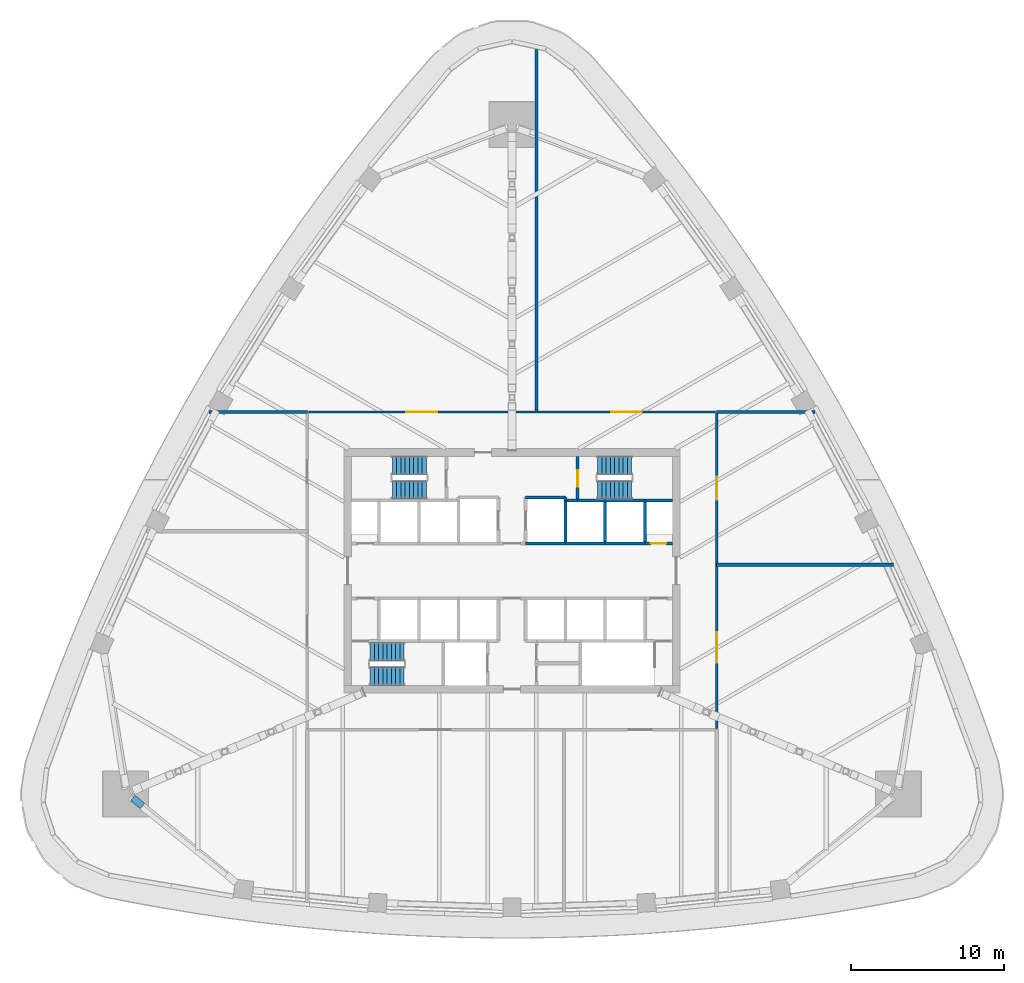
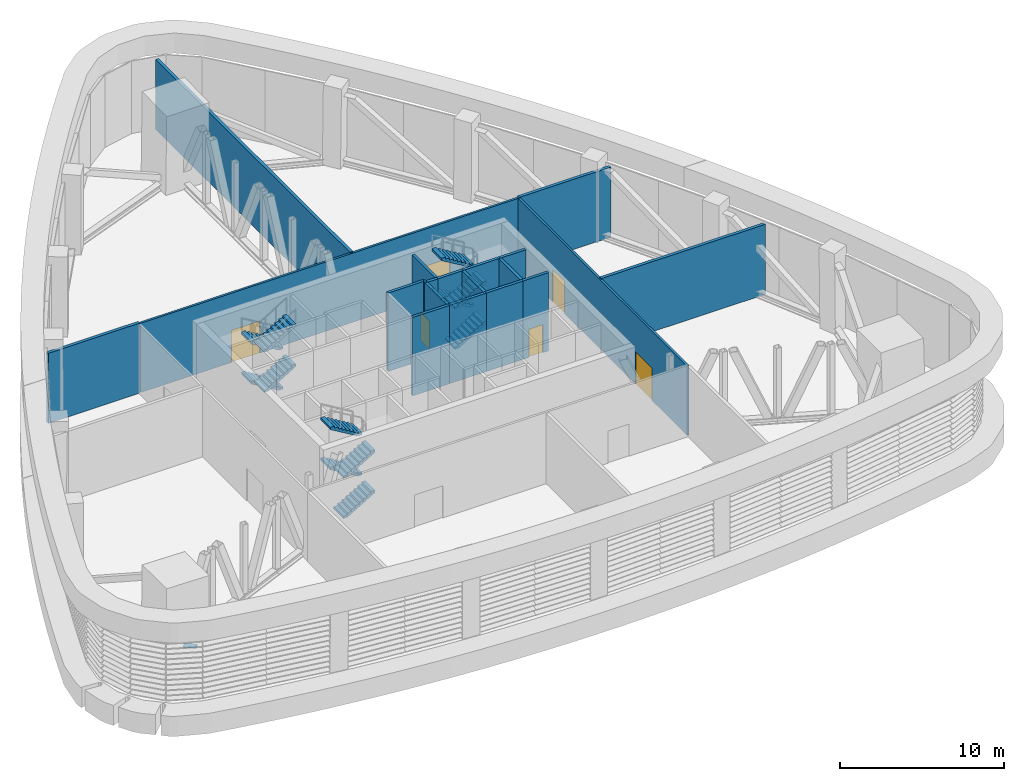
# One storey, part 7 of 18: 20 walls, 12 stair flights, 6 doors, 1 discrete accessory, 6 openings, 3 elements without a shape of their own.
"""IFC4 building model written with IfcOpenShell, lengths in metres."""

from ifc_helpers import new_model, si_unit, direction, frame, frame_2d, origin, origin_2d, place, context, subcontext, project, spatial, polyline, rectangle, outline, extrude, material, layer, layer_set, type_object, element, fill, aggregate, save


model = new_model("IFC4")

# Units and contexts
model_context = context("Model", 3, precision=1e-05, world=origin(), true_north=direction((0.0, 1.0)))
body_context = subcontext(model_context, "Body", "Model", "MODEL_VIEW")
ifc_project = project(units=[si_unit("LENGTHUNIT", "METRE"), si_unit("AREAUNIT", "SQUARE_METRE"), si_unit("VOLUMEUNIT", "CUBIC_METRE"), si_unit("PLANEANGLEUNIT", "RADIAN"), si_unit("MASSUNIT", "GRAM", prefix="KILO")], contexts=[model_context])

# Site, building, storey
site_placement = place(None, origin())
site = spatial("IfcSite", under=ifc_project, at=site_placement, CompositionType="ELEMENT")
building_placement = place(site_placement, origin())
building = spatial("IfcBuilding", under=site, at=building_placement, Name="Sierra Prisma Convention Tower", CompositionType="ELEMENT")
storey_placement = place(building_placement, frame((0.0, 0.0, 112.60009765625)))
storey = spatial("IfcBuildingStorey", under=building, at=storey_placement, Name="L24", CompositionType="ELEMENT", Elevation=112.60009765625)

# Walls
ifc_material_1 = material(Name="Concrete C30/37", Category="concrete")
ifc_layer_1 = layer(ifc_material_1, 0.199951171875)
ifc_layer_set_1 = layer_set([ifc_layer_1], Name="Core wall RC 200 C30/37")
wall_type_1 = type_object("IfcWallType", Name="Core wall RC 200 C30/37", PredefinedType="SOLIDWALL", material=ifc_layer_set_1)
wall_1_placement = place(storey_placement, frame((3.5, 1.800048828125, 0.0), z_axis=(0.0, 0.0, 1.0), x_axis=(-1.0, 0.0, 0.0)))
element("IfcWall", 1, at=wall_1_placement, inside=storey, type_object=wall_type_1, Name="Core wall L24 37", PredefinedType="SOLIDWALL", context=body_context, shape_type="SweptSolid", body=[
    extrude(rectangle(XDim=2.60009765625, YDim=0.199951171875, at=frame_2d((1.300048828125, 0.0))), origin(), (0.0, 0.0, 1.0), 5.849853515625),
])
wall_2_placement = place(storey_placement, frame((3.5, 4.60009765625, 0.0), z_axis=(0.0, 0.0, 1.0), x_axis=(0.0, 1.0, 0.0)))
element("IfcWall", 2, at=wall_2_placement, inside=storey, type_object=wall_type_1, Name="Core wall L24 38", PredefinedType="SOLIDWALL", context=body_context, shape_type="SweptSolid", body=[
    extrude(rectangle(XDim=0.199951171875, YDim=0.199951171875, at=frame_2d((0.10009765625, 0.0))), origin(), (0.0, 0.0, 1.0), 5.849853515625),
])
for number, where, z_axis, x_axis, name in (
    (3, (3.5, 4.800048828125, 0.0), (0.0, 0.0, 1.0), (-1.0, 0.0, 0.0), "Core wall L24 39"),
    (4, (6.10009765625, 1.800048828125, 0.0), (0.0, 0.0, 1.0), (-1.0, 0.0, 0.0), "Core wall L24 48"),
):
    element("IfcWall", number, at=place(storey_placement, frame(where, z_axis=z_axis, x_axis=x_axis)), inside=storey, type_object=wall_type_1, Name=name, PredefinedType="SOLIDWALL", context=body_context, shape_type="SweptSolid", body=[
        extrude(rectangle(XDim=2.60009765625, YDim=0.199951171875, at=frame_2d((1.300048828125, 0.0))), origin(), (0.0, 0.0, 1.0), 5.849853515625),
    ])
wall_3_placement = place(storey_placement, frame((3.5, 1.800048828125, 0.0), z_axis=(0.0, 0.0, 1.0), x_axis=(0.0, 1.0, 0.0)))
element("IfcWall", 5, at=wall_3_placement, inside=storey, type_object=wall_type_1, Name="Core wall L24 49", PredefinedType="SOLIDWALL", context=body_context, shape_type="SweptSolid", body=[
    extrude(rectangle(XDim=2.800048828125, YDim=0.199951171875, at=frame_2d((1.39990234375, 0.0))), origin(), (0.0, 0.0, 1.0), 5.849853515625),
])
wall_4_placement = place(storey_placement, frame((4.300048828125, 4.60009765625, 0.0), z_axis=(0.0, 0.0, 1.0), x_axis=(-1.0, 0.0, 0.0)))
element("IfcWall", 6, at=wall_4_placement, inside=storey, type_object=wall_type_1, Name="Core wall L24 50", PredefinedType="SOLIDWALL", context=body_context, shape_type="SweptSolid", body=[
    extrude(rectangle(XDim=0.800048828125, YDim=0.199951171875, at=frame_2d((0.39990234375, 0.0))), origin(), (0.0, 0.0, 1.0), 5.849853515625),
])
wall_5_placement = place(storey_placement, frame((6.10009765625, 4.60009765625, 0.0), z_axis=(0.0, 0.0, 1.0), x_axis=(-1.0, 0.0, 0.0)))
element("IfcWall", 7, at=wall_5_placement, inside=storey, type_object=wall_type_1, Name="Core wall L24 51", PredefinedType="SOLIDWALL", context=body_context, shape_type="SweptSolid", body=[
    extrude(rectangle(XDim=1.800048828125, YDim=0.199951171875, at=frame_2d((0.89990234375, 0.0))), origin(), (0.0, 0.0, 1.0), 5.849853515625),
])

# Wall, opening, door
wall_6_placement = place(storey_placement, frame((4.300048828125, 7.5, 0.0), z_axis=(0.0, 0.0, 1.0), x_axis=(0.0, -1.0, 0.0)))
wall_6 = element("IfcWall", 8, at=wall_6_placement, inside=storey, type_object=wall_type_1, Name="Core wall L24 52", PredefinedType="SOLIDWALL", context=body_context, shape_type="SweptSolid", body=[
    extrude(rectangle(XDim=2.89990234375, YDim=0.199951171875, at=frame_2d((1.449951171875, 0.0))), origin(), (0.0, 0.0, 1.0), 5.849853515625),
])
opening_1_placement = place(wall_6_placement, frame((0.89990234375, 0.0, 0.0)))
opening_1 = element("IfcOpeningElement", 9, at=opening_1_placement, cuts=wall_6, Name="Opening L24-D013", PredefinedType="OPENING", context=body_context, shape_type="SweptSolid", body=[
    extrude(rectangle(XDim=1.10009765625, YDim=2.10009765625, at=frame_2d((0.550048828125, 1.050048828125))), frame((0.0, 0.10009765625, 0.0), z_axis=(0.0, -1.0, 0.0), x_axis=(1.0, 0.0, 0.0)), (0.0, 0.0, 1.0), 0.199951171875),
])
ifc_material_2 = material(Name="Steel fire door leaf", Category="steel")
door_type_1 = type_object("IfcDoorType", Name="Door 1100x2100 FD90S", OperationType="SINGLE_SWING_LEFT", PredefinedType="DOOR", material=ifc_material_2)
door_1_placement = place(opening_1_placement, origin())
door_1 = element("IfcDoor", 10, at=door_1_placement, inside=storey, type_object=door_type_1, Name="Door L24 21", OperationType="SINGLE_SWING_LEFT", OverallHeight=2.10009765625, OverallWidth=1.10009765625, PredefinedType="DOOR", context=body_context, shape_type="SweptSolid", body=[
    extrude(rectangle(XDim=1.10009765625, YDim=2.10009765625, at=frame_2d((0.550048828125, 1.050048828125))), frame((0.0, 0.02490234375, 0.0), z_axis=(0.0, -1.0, 0.0), x_axis=(1.0, 0.0, 0.0)), (0.0, 0.0, 1.0), 0.050048828125),
])
fill(opening_1, door_1)

# Walls
wall_7_placement = place(storey_placement, frame((8.699951171875, 1.800048828125, 0.0), z_axis=(0.0, 0.0, 1.0), x_axis=(-1.0, 0.0, 0.0)))
element("IfcWall", 11, at=wall_7_placement, inside=storey, type_object=wall_type_1, Name="Core wall L24 59", PredefinedType="SOLIDWALL", context=body_context, shape_type="SweptSolid", body=[
    extrude(rectangle(XDim=2.599853515625, YDim=0.199951171875, at=frame_2d((1.2998046875, 0.0))), origin(), (0.0, 0.0, 1.0), 5.849853515625),
])
wall_8_placement = place(storey_placement, frame((6.10009765625, 1.800048828125, 0.0), z_axis=(0.0, 0.0, 1.0), x_axis=(0.0, 1.0, 0.0)))
element("IfcWall", 12, at=wall_8_placement, inside=storey, type_object=wall_type_1, Name="Core wall L24 60", PredefinedType="SOLIDWALL", context=body_context, shape_type="SweptSolid", body=[
    extrude(rectangle(XDim=2.800048828125, YDim=0.199951171875, at=frame_2d((1.39990234375, 0.0))), origin(), (0.0, 0.0, 1.0), 5.849853515625),
])
wall_9_placement = place(storey_placement, frame((8.699951171875, 4.60009765625, 0.0), z_axis=(0.0, 0.0, 1.0), x_axis=(-1.0, 0.0, 0.0)))
element("IfcWall", 13, at=wall_9_placement, inside=storey, type_object=wall_type_1, Name="Core wall L24 61", PredefinedType="SOLIDWALL", context=body_context, shape_type="SweptSolid", body=[
    extrude(rectangle(XDim=2.599853515625, YDim=0.199951171875, at=frame_2d((1.2998046875, 0.0))), origin(), (0.0, 0.0, 1.0), 5.849853515625),
])

# Wall, opening, door
wall_10_placement = place(storey_placement, frame((10.5, 1.800048828125, 0.0), z_axis=(0.0, 0.0, 1.0), x_axis=(-1.0, 0.0, 0.0)))
wall_10 = element("IfcWall", 14, at=wall_10_placement, inside=storey, type_object=wall_type_1, Name="Core wall L24 65", PredefinedType="SOLIDWALL", context=body_context, shape_type="SweptSolid", body=[
    extrude(rectangle(XDim=1.800048828125, YDim=0.199951171875, at=frame_2d((0.89990234375, 0.0))), origin(), (0.0, 0.0, 1.0), 5.849853515625),
])
opening_2_placement = place(wall_10_placement, frame((0.39990234375, 0.0, 0.0)))
opening_2 = element("IfcOpeningElement", 15, at=opening_2_placement, cuts=wall_10, Name="Opening L24-D009", PredefinedType="OPENING", context=body_context, shape_type="SweptSolid", body=[
    extrude(rectangle(XDim=1.0, YDim=2.10009765625, at=frame_2d((0.5, 1.050048828125))), frame((0.0, 0.10009765625, 0.0), z_axis=(0.0, -1.0, 0.0), x_axis=(1.0, 0.0, 0.0)), (0.0, 0.0, 1.0), 0.199951171875),
])
ifc_material_3 = material(Name="Steel fire door leaf", Category="steel")
door_type_2 = type_object("IfcDoorType", Name="Door 1000x2100 FD60S", OperationType="SINGLE_SWING_LEFT", PredefinedType="DOOR", material=ifc_material_3)
door_2_placement = place(opening_2_placement, origin())
door_2 = element("IfcDoor", 16, at=door_2_placement, inside=storey, type_object=door_type_2, Name="Door L24 17", OperationType="SINGLE_SWING_RIGHT", OverallHeight=2.10009765625, OverallWidth=1.0, PredefinedType="DOOR", context=body_context, shape_type="SweptSolid", body=[
    extrude(rectangle(XDim=1.0, YDim=2.10009765625, at=frame_2d((0.5, 1.050048828125))), frame((0.0, 0.02490234375, 0.0), z_axis=(0.0, -1.0, 0.0), x_axis=(1.0, 0.0, 0.0)), (0.0, 0.0, 1.0), 0.050048828125),
])
fill(opening_2, door_2)

# Walls
wall_11_placement = place(storey_placement, frame((8.699951171875, 4.60009765625, 0.0), z_axis=(0.0, 0.0, 1.0), x_axis=(0.0, -1.0, 0.0)))
element("IfcWall", 17, at=wall_11_placement, inside=storey, type_object=wall_type_1, Name="Core wall L24 66", PredefinedType="SOLIDWALL", context=body_context, shape_type="SweptSolid", body=[
    extrude(rectangle(XDim=2.800048828125, YDim=0.199951171875, at=frame_2d((1.39990234375, 0.0))), origin(), (0.0, 0.0, 1.0), 5.849853515625),
])
wall_12_placement = place(storey_placement, frame((10.5, 4.60009765625, 0.0), z_axis=(0.0, 0.0, 1.0), x_axis=(-1.0, 0.0, 0.0)))
element("IfcWall", 18, at=wall_12_placement, inside=storey, type_object=wall_type_1, Name="Core wall L24 67", PredefinedType="SOLIDWALL", context=body_context, shape_type="SweptSolid", body=[
    extrude(rectangle(XDim=1.800048828125, YDim=0.199951171875, at=frame_2d((0.89990234375, 0.0))), origin(), (0.0, 0.0, 1.0), 5.849853515625),
])

# Wall, openings, doors
ifc_material_4 = material(Name="Gypsum board partition", Category="gypsum")
ifc_layer_2 = layer(ifc_material_4, 0.14990234375)
ifc_layer_set_2 = layer_set([ifc_layer_2], Name="Corridor wall 150 gypsum EI 60")
wall_type_2 = type_object("IfcWallType", Name="Corridor wall 150 gypsum EI 60", PredefinedType="PARTITIONING", material=ifc_layer_set_2)
wall_13_placement = place(storey_placement, frame((13.320068359375, 10.39990234375, 0.0), z_axis=(0.0, 0.0, 1.0), x_axis=(-1.0, 0.0, 0.0)))
wall_13 = element("IfcWall", 19, at=wall_13_placement, inside=storey, type_object=wall_type_2, Name="Partition L24 corr 3", PredefinedType="PARTITIONING", context=body_context, shape_type="SweptSolid", body=[
    extrude(rectangle(XDim=26.64013671875, YDim=0.14990234375, at=frame_2d((13.320068359375, 0.0))), origin(), (0.0, 0.0, 1.0), 5.166015625),
])
opening_3_placement = place(wall_13_placement, frame((4.81005859375, 0.0, 0.0)))
opening_3 = element("IfcOpeningElement", 20, at=opening_3_placement, cuts=wall_13, Name="Opening L24-D017", PredefinedType="OPENING", context=body_context, shape_type="SweptSolid", body=[
    extrude(rectangle(XDim=2.0, YDim=2.39990234375, at=frame_2d((1.0, 1.199951171875))), frame((0.0, 0.074951171875, 0.0), z_axis=(0.0, -1.0, 0.0), x_axis=(1.0, 0.0, 0.0)), (0.0, 0.0, 1.0), 0.14990234375),
])
opening_4_placement = place(wall_13_placement, frame((18.22998046875, 0.0, 0.0)))
opening_4 = element("IfcOpeningElement", 21, at=opening_4_placement, cuts=wall_13, Name="Opening L24-D018", PredefinedType="OPENING", context=body_context, shape_type="SweptSolid", body=[
    extrude(rectangle(XDim=2.0, YDim=2.39990234375, at=frame_2d((1.0, 1.199951171875))), frame((0.0, 0.074951171875, 0.0), z_axis=(0.0, -1.0, 0.0), x_axis=(1.0, 0.0, 0.0)), (0.0, 0.0, 1.0), 0.14990234375),
])
ifc_material_5 = material(Name="Steel fire door leaf", Category="steel")
door_type_3 = type_object("IfcDoorType", Name="Door 2000x2400 FD60S", OperationType="DOUBLE_DOOR_SINGLE_SWING", PredefinedType="DOOR", material=ifc_material_5)
door_3_placement = place(opening_3_placement, origin())
door_3 = element("IfcDoor", 22, at=door_3_placement, inside=storey, type_object=door_type_3, Name="Door L24 2", OperationType="DOUBLE_DOOR_SINGLE_SWING", OverallHeight=2.39990234375, OverallWidth=2.0, PredefinedType="DOOR", context=body_context, shape_type="SweptSolid", body=[
    extrude(rectangle(XDim=2.0, YDim=2.39990234375, at=frame_2d((1.0, 1.199951171875))), frame((0.0, 0.02490234375, 0.0), z_axis=(0.0, -1.0, 0.0), x_axis=(1.0, 0.0, 0.0)), (0.0, 0.0, 1.0), 0.050048828125),
])
fill(opening_3, door_3)
door_4_placement = place(opening_4_placement, origin())
door_4 = element("IfcDoor", 23, at=door_4_placement, inside=storey, type_object=door_type_3, Name="Door L24 3", OperationType="DOUBLE_DOOR_SINGLE_SWING", OverallHeight=2.39990234375, OverallWidth=2.0, PredefinedType="DOOR", context=body_context, shape_type="SweptSolid", body=[
    extrude(rectangle(XDim=2.0, YDim=2.39990234375, at=frame_2d((1.0, 1.199951171875))), frame((0.0, 0.02490234375, 0.0), z_axis=(0.0, -1.0, 0.0), x_axis=(1.0, 0.0, 0.0)), (0.0, 0.0, 1.0), 0.050048828125),
])
fill(opening_4, door_4)

wall_14_placement = place(storey_placement, frame((13.39990234375, -10.320068359375, 0.0), z_axis=(0.0, 0.0, 1.0), x_axis=(0.0, 1.0, 0.0)))
wall_14 = element("IfcWall", 24, at=wall_14_placement, inside=storey, type_object=wall_type_2, Name="Partition L24 corr 4", PredefinedType="PARTITIONING", context=body_context, shape_type="SweptSolid", body=[
    extrude(rectangle(XDim=20.64013671875, YDim=0.14990234375, at=frame_2d((10.320068359375, 0.0))), origin(), (0.0, 0.0, 1.0), 5.166015625),
])
opening_5_placement = place(wall_14_placement, frame((14.969970703125, 0.0, 0.0)))
opening_5 = element("IfcOpeningElement", 25, at=opening_5_placement, cuts=wall_14, Name="Opening L24-D016", PredefinedType="OPENING", context=body_context, shape_type="SweptSolid", body=[
    extrude(rectangle(XDim=1.5, YDim=2.39990234375, at=frame_2d((0.75, 1.199951171875))), frame((0.0, 0.074951171875, 0.0), z_axis=(0.0, -1.0, 0.0), x_axis=(1.0, 0.0, 0.0)), (0.0, 0.0, 1.0), 0.14990234375),
])
opening_6_placement = place(wall_14_placement, frame((4.31005859375, 0.0, 0.0)))
opening_6 = element("IfcOpeningElement", 26, at=opening_6_placement, cuts=wall_14, Name="Opening L24-D023", PredefinedType="OPENING", context=body_context, shape_type="SweptSolid", body=[
    extrude(rectangle(XDim=2.0, YDim=2.39990234375, at=frame_2d((1.0, 1.199951171875))), frame((0.0, 0.074951171875, 0.0), z_axis=(0.0, -1.0, 0.0), x_axis=(1.0, 0.0, 0.0)), (0.0, 0.0, 1.0), 0.14990234375),
])
ifc_material_6 = material(Name="Steel fire door leaf", Category="steel")
door_type_4 = type_object("IfcDoorType", Name="Door 1500x2400 FD60S", OperationType="DOUBLE_DOOR_SINGLE_SWING", PredefinedType="DOOR", material=ifc_material_6)
door_5_placement = place(opening_5_placement, origin())
door_5 = element("IfcDoor", 27, at=door_5_placement, inside=storey, type_object=door_type_4, Name="Door L24 1", OperationType="DOUBLE_DOOR_SINGLE_SWING", OverallHeight=2.39990234375, OverallWidth=1.5, PredefinedType="DOOR", context=body_context, shape_type="SweptSolid", body=[
    extrude(rectangle(XDim=1.5, YDim=2.39990234375, at=frame_2d((0.75, 1.199951171875))), frame((0.0, 0.02490234375, 0.0), z_axis=(0.0, -1.0, 0.0), x_axis=(1.0, 0.0, 0.0)), (0.0, 0.0, 1.0), 0.050048828125),
])
fill(opening_5, door_5)
door_6_placement = place(opening_6_placement, origin())
door_6 = element("IfcDoor", 28, at=door_6_placement, inside=storey, type_object=door_type_3, Name="Door L24 8", OperationType="DOUBLE_DOOR_SINGLE_SWING", OverallHeight=2.39990234375, OverallWidth=2.0, PredefinedType="DOOR", context=body_context, shape_type="SweptSolid", body=[
    extrude(rectangle(XDim=2.0, YDim=2.39990234375, at=frame_2d((1.0, 1.199951171875))), frame((0.0, 0.02490234375, 0.0), z_axis=(0.0, -1.0, 0.0), x_axis=(1.0, 0.0, 0.0)), (0.0, 0.0, 1.0), 0.050048828125),
])
fill(opening_6, door_6)

# Walls
ifc_material_7 = material(Name="Hollow clay block masonry", Category="masonry")
ifc_layer_3 = layer(ifc_material_7, 0.215087890625)
ifc_layer_set_3 = layer_set([ifc_layer_3], Name="Plant room wall 215 blockwork EI 120")
wall_type_3 = type_object("IfcWallType", Name="Plant room wall 215 blockwork EI 120", PredefinedType="PARTITIONING", material=ifc_layer_set_3)
wall_15_placement = place(storey_placement, frame((-13.39990234375, 10.39990234375, 0.0), z_axis=(0.0, 0.0, 1.0), x_axis=(-1.0, 0.0, 0.0)))
element("IfcWall", 29, at=wall_15_placement, inside=storey, type_object=wall_type_3, Name="Partition L24 plant 2", PredefinedType="PARTITIONING", context=body_context, shape_type="SweptSolid", body=[
    extrude(rectangle(XDim=6.453369140625, YDim=0.215087890625, at=frame_2d((3.2265625, 0.0))), origin(), (0.0, 0.0, 1.0), 5.23388671875),
])
wall_16_placement = place(storey_placement, frame((1.60009765625, 10.39990234375, 0.0), z_axis=(0.0, 0.0, 1.0), x_axis=(0.0, 1.0, 0.0)))
element("IfcWall", 30, at=wall_16_placement, inside=storey, type_object=wall_type_3, Name="Partition L24 plant 4", PredefinedType="PARTITIONING", context=body_context, shape_type="SweptSolid", body=[
    extrude(rectangle(XDim=23.740478515625, YDim=0.215087890625, at=frame_2d((11.8701171875, 0.0))), origin(), (0.0, 0.0, 1.0), 5.23388671875),
])
wall_17_placement = place(storey_placement, frame((24.9833984375, 0.39990234375, 0.0), z_axis=(0.0, 0.0, 1.0), x_axis=(-1.0, 0.0, 0.0)))
element("IfcWall", 31, at=wall_17_placement, inside=storey, type_object=wall_type_3, Name="Partition L24 plant 7", PredefinedType="PARTITIONING", context=body_context, shape_type="SweptSolid", body=[
    extrude(rectangle(XDim=11.58349609375, YDim=0.215087890625, at=frame_2d((5.791748046875, 0.0))), origin(), (0.0, 0.0, 1.0), 5.23388671875),
])
wall_18_placement = place(storey_placement, frame((13.39990234375, 10.39990234375, 0.0), z_axis=(0.0, 0.0, 1.0), x_axis=(1.0, 0.0, 0.0)))
element("IfcWall", 32, at=wall_18_placement, inside=storey, type_object=wall_type_3, Name="Partition L24 plant 8", PredefinedType="PARTITIONING", context=body_context, shape_type="SweptSolid", body=[
    extrude(rectangle(XDim=6.453369140625, YDim=0.215087890625, at=frame_2d((3.2265625, 0.0))), origin(), (0.0, 0.0, 1.0), 5.23388671875),
])

# Stair, stair flights
ifc_material_8 = material(Name="Concrete C30/37", Category="concrete")
stair_type = type_object("IfcStairType", Name="Stair dog-leg 1200 RC", PredefinedType="HALF_TURN_STAIR", material=ifc_material_8)
stair_1_placement = place(storey_placement, origin())
stair_1 = element("IfcStair", 33, at=stair_1_placement, inside=storey, type_object=stair_type, Name="L24 S1", PredefinedType="HALF_TURN_STAIR")
ifc_material_9 = material(Name="Concrete C30/37", Category="concrete")
stair_flight_type = type_object("IfcStairFlightType", Name="Stair flight RC 1200", PredefinedType="STRAIGHT", material=ifc_material_9)
stair_flight_1_placement = place(storey_placement, frame((-9.300048828125, -6.89990234375, 0.0), z_axis=(0.0, 0.0, 1.0), x_axis=(1.0, 0.0, 0.0)))
stair_flight_1 = element("IfcStairFlight", 34, at=stair_flight_1_placement, type_object=stair_flight_type, Name="S1 flight 1", NumberOfRisers=9, NumberOfTreads=8, PredefinedType="STRAIGHT", RiserHeight=0.166666667, TreadLength=0.28, context=body_context, shape_type="SweptSolid", body=[
    extrude(outline(polyline([(0.0, 0.0), (0.0, 0.166748046875), (0.280029296875, 0.166748046875), (0.280029296875, 0.333251953125), (0.56005859375, 0.333251953125), (0.56005859375, 0.5), (0.840087890625, 0.5), (0.840087890625, 0.666748046875), (1.1201171875, 0.666748046875), (1.1201171875, 0.833251953125), (1.39990234375, 0.833251953125), (1.39990234375, 1.0), (1.679931640625, 1.0), (1.679931640625, 1.166748046875), (1.9599609375, 1.166748046875), (1.9599609375, 1.333251953125), (2.239990234375, 1.333251953125), (2.239990234375, 1.5), (2.239990234375, 1.158935546875), (0.29296875, 0.0), (0.0, 0.0)])), frame((0.0, 0.60009765625, 0.0), z_axis=(0.0, -1.0, 0.0), x_axis=(1.0, 0.0, 0.0)), (0.0, 0.0, 1.0), 1.199951171875),
])
stair_flight_2_placement = place(storey_placement, frame((-7.06005859375, -5.300048828125, 1.5), z_axis=(0.0, 0.0, 1.0), x_axis=(-1.0, 0.0, 0.0)))
stair_flight_2 = element("IfcStairFlight", 35, at=stair_flight_2_placement, type_object=stair_flight_type, Name="S1 flight 2", NumberOfRisers=9, NumberOfTreads=8, PredefinedType="STRAIGHT", RiserHeight=0.166666667, TreadLength=0.28, context=body_context, shape_type="SweptSolid", body=[
    extrude(outline(polyline([(0.0, 0.0), (0.0, 0.166748046875), (0.280029296875, 0.166748046875), (0.280029296875, 0.333251953125), (0.56005859375, 0.333251953125), (0.56005859375, 0.5), (0.840087890625, 0.5), (0.840087890625, 0.666748046875), (1.1201171875, 0.666748046875), (1.1201171875, 0.833251953125), (1.39990234375, 0.833251953125), (1.39990234375, 1.0), (1.679931640625, 1.0), (1.679931640625, 1.166748046875), (1.9599609375, 1.166748046875), (1.9599609375, 1.333251953125), (2.239990234375, 1.333251953125), (2.239990234375, 1.5), (2.239990234375, 1.158935546875), (0.29296875, 0.0), (0.0, 0.0)])), frame((0.0, 0.60009765625, 0.0), z_axis=(0.0, -1.0, 0.0), x_axis=(1.0, 0.0, 0.0)), (0.0, 0.0, 1.0), 1.199951171875),
])
stair_flight_3_placement = place(storey_placement, frame((-9.300048828125, -6.89990234375, 3.0), z_axis=(0.0, 0.0, 1.0), x_axis=(1.0, 0.0, 0.0)))
stair_flight_3 = element("IfcStairFlight", 36, at=stair_flight_3_placement, type_object=stair_flight_type, Name="S1 flight 3", NumberOfRisers=9, NumberOfTreads=8, PredefinedType="STRAIGHT", RiserHeight=0.166666667, TreadLength=0.28, context=body_context, shape_type="SweptSolid", body=[
    extrude(outline(polyline([(0.0, 0.0), (0.0, 0.166748046875), (0.280029296875, 0.166748046875), (0.280029296875, 0.333251953125), (0.56005859375, 0.333251953125), (0.56005859375, 0.5), (0.840087890625, 0.5), (0.840087890625, 0.666748046875), (1.1201171875, 0.666748046875), (1.1201171875, 0.833251953125), (1.39990234375, 0.833251953125), (1.39990234375, 1.0), (1.679931640625, 1.0), (1.679931640625, 1.166748046875), (1.9599609375, 1.166748046875), (1.9599609375, 1.333251953125), (2.239990234375, 1.333251953125), (2.239990234375, 1.5), (2.239990234375, 1.158935546875), (0.29296875, 0.0), (0.0, 0.0)])), frame((0.0, 0.60009765625, 0.0), z_axis=(0.0, -1.0, 0.0), x_axis=(1.0, 0.0, 0.0)), (0.0, 0.0, 1.0), 1.199951171875),
])
stair_flight_4_placement = place(storey_placement, frame((-7.06005859375, -5.300048828125, 4.5), z_axis=(0.0, 0.0, 1.0), x_axis=(-1.0, 0.0, 0.0)))
stair_flight_4 = element("IfcStairFlight", 37, at=stair_flight_4_placement, type_object=stair_flight_type, Name="S1 flight 4", NumberOfRisers=9, NumberOfTreads=8, PredefinedType="STRAIGHT", RiserHeight=0.166666667, TreadLength=0.28, context=body_context, shape_type="SweptSolid", body=[
    extrude(outline(polyline([(0.0, 0.0), (0.0, 0.166748046875), (0.280029296875, 0.166748046875), (0.280029296875, 0.333251953125), (0.56005859375, 0.333251953125), (0.56005859375, 0.5), (0.840087890625, 0.5), (0.840087890625, 0.666748046875), (1.1201171875, 0.666748046875), (1.1201171875, 0.833251953125), (1.39990234375, 0.833251953125), (1.39990234375, 1.0), (1.679931640625, 1.0), (1.679931640625, 1.166748046875), (1.9599609375, 1.166748046875), (1.9599609375, 1.333251953125), (2.239990234375, 1.333251953125), (2.239990234375, 1.5), (2.239990234375, 1.158935546875), (0.29296875, 0.0), (0.0, 0.0)])), frame((0.0, 0.60009765625, 0.0), z_axis=(0.0, -1.0, 0.0), x_axis=(1.0, 0.0, 0.0)), (0.0, 0.0, 1.0), 1.199951171875),
])
aggregate(stair_1, [stair_flight_1, stair_flight_2, stair_flight_3, stair_flight_4])

stair_2_placement = place(storey_placement, origin())
stair_2 = element("IfcStair", 38, at=stair_2_placement, inside=storey, type_object=stair_type, Name="L24 S3", PredefinedType="HALF_TURN_STAIR")
stair_flight_5_placement = place(storey_placement, frame((-5.60009765625, 6.89990234375, 0.0), z_axis=(0.0, 0.0, 1.0), x_axis=(-1.0, 0.0, 0.0)))
stair_flight_5 = element("IfcStairFlight", 39, at=stair_flight_5_placement, type_object=stair_flight_type, Name="S3 flight 1", NumberOfRisers=9, NumberOfTreads=8, PredefinedType="STRAIGHT", RiserHeight=0.166666667, TreadLength=0.28, context=body_context, shape_type="SweptSolid", body=[
    extrude(outline(polyline([(0.0, 0.0), (0.0, 0.166748046875), (0.280029296875, 0.166748046875), (0.280029296875, 0.333251953125), (0.56005859375, 0.333251953125), (0.56005859375, 0.5), (0.840087890625, 0.5), (0.840087890625, 0.666748046875), (1.1201171875, 0.666748046875), (1.1201171875, 0.833251953125), (1.39990234375, 0.833251953125), (1.39990234375, 1.0), (1.679931640625, 1.0), (1.679931640625, 1.166748046875), (1.9599609375, 1.166748046875), (1.9599609375, 1.333251953125), (2.239990234375, 1.333251953125), (2.239990234375, 1.5), (2.239990234375, 1.158935546875), (0.29296875, 0.0), (0.0, 0.0)])), frame((0.0, 0.60009765625, 0.0), z_axis=(0.0, -1.0, 0.0), x_axis=(1.0, 0.0, 0.0)), (0.0, 0.0, 1.0), 1.199951171875),
])
stair_flight_6_placement = place(storey_placement, frame((-7.840087890625, 5.300048828125, 1.5), z_axis=(0.0, 0.0, 1.0), x_axis=(1.0, 0.0, 0.0)))
stair_flight_6 = element("IfcStairFlight", 40, at=stair_flight_6_placement, type_object=stair_flight_type, Name="S3 flight 2", NumberOfRisers=9, NumberOfTreads=8, PredefinedType="STRAIGHT", RiserHeight=0.166666667, TreadLength=0.28, context=body_context, shape_type="SweptSolid", body=[
    extrude(outline(polyline([(0.0, 0.0), (0.0, 0.166748046875), (0.280029296875, 0.166748046875), (0.280029296875, 0.333251953125), (0.56005859375, 0.333251953125), (0.56005859375, 0.5), (0.840087890625, 0.5), (0.840087890625, 0.666748046875), (1.1201171875, 0.666748046875), (1.1201171875, 0.833251953125), (1.39990234375, 0.833251953125), (1.39990234375, 1.0), (1.679931640625, 1.0), (1.679931640625, 1.166748046875), (1.9599609375, 1.166748046875), (1.9599609375, 1.333251953125), (2.239990234375, 1.333251953125), (2.239990234375, 1.5), (2.239990234375, 1.158935546875), (0.29296875, 0.0), (0.0, 0.0)])), frame((0.0, 0.60009765625, 0.0), z_axis=(0.0, -1.0, 0.0), x_axis=(1.0, 0.0, 0.0)), (0.0, 0.0, 1.0), 1.199951171875),
])
stair_flight_7_placement = place(storey_placement, frame((-5.60009765625, 6.89990234375, 3.0), z_axis=(0.0, 0.0, 1.0), x_axis=(-1.0, 0.0, 0.0)))
stair_flight_7 = element("IfcStairFlight", 41, at=stair_flight_7_placement, type_object=stair_flight_type, Name="S3 flight 3", NumberOfRisers=9, NumberOfTreads=8, PredefinedType="STRAIGHT", RiserHeight=0.166666667, TreadLength=0.28, context=body_context, shape_type="SweptSolid", body=[
    extrude(outline(polyline([(0.0, 0.0), (0.0, 0.166748046875), (0.280029296875, 0.166748046875), (0.280029296875, 0.333251953125), (0.56005859375, 0.333251953125), (0.56005859375, 0.5), (0.840087890625, 0.5), (0.840087890625, 0.666748046875), (1.1201171875, 0.666748046875), (1.1201171875, 0.833251953125), (1.39990234375, 0.833251953125), (1.39990234375, 1.0), (1.679931640625, 1.0), (1.679931640625, 1.166748046875), (1.9599609375, 1.166748046875), (1.9599609375, 1.333251953125), (2.239990234375, 1.333251953125), (2.239990234375, 1.5), (2.239990234375, 1.158935546875), (0.29296875, 0.0), (0.0, 0.0)])), frame((0.0, 0.60009765625, 0.0), z_axis=(0.0, -1.0, 0.0), x_axis=(1.0, 0.0, 0.0)), (0.0, 0.0, 1.0), 1.199951171875),
])
stair_flight_8_placement = place(storey_placement, frame((-7.840087890625, 5.300048828125, 4.5), z_axis=(0.0, 0.0, 1.0), x_axis=(1.0, 0.0, 0.0)))
stair_flight_8 = element("IfcStairFlight", 42, at=stair_flight_8_placement, type_object=stair_flight_type, Name="S3 flight 4", NumberOfRisers=9, NumberOfTreads=8, PredefinedType="STRAIGHT", RiserHeight=0.166666667, TreadLength=0.28, context=body_context, shape_type="SweptSolid", body=[
    extrude(outline(polyline([(0.0, 0.0), (0.0, 0.166748046875), (0.280029296875, 0.166748046875), (0.280029296875, 0.333251953125), (0.56005859375, 0.333251953125), (0.56005859375, 0.5), (0.840087890625, 0.5), (0.840087890625, 0.666748046875), (1.1201171875, 0.666748046875), (1.1201171875, 0.833251953125), (1.39990234375, 0.833251953125), (1.39990234375, 1.0), (1.679931640625, 1.0), (1.679931640625, 1.166748046875), (1.9599609375, 1.166748046875), (1.9599609375, 1.333251953125), (2.239990234375, 1.333251953125), (2.239990234375, 1.5), (2.239990234375, 1.158935546875), (0.29296875, 0.0), (0.0, 0.0)])), frame((0.0, 0.60009765625, 0.0), z_axis=(0.0, -1.0, 0.0), x_axis=(1.0, 0.0, 0.0)), (0.0, 0.0, 1.0), 1.199951171875),
])
aggregate(stair_2, [stair_flight_5, stair_flight_6, stair_flight_7, stair_flight_8])

stair_3_placement = place(storey_placement, origin())
stair_3 = element("IfcStair", 43, at=stair_3_placement, inside=storey, type_object=stair_type, Name="L24 S4", PredefinedType="HALF_TURN_STAIR")
stair_flight_9_placement = place(storey_placement, frame((5.60009765625, 5.300048828125, 0.0), z_axis=(0.0, 0.0, 1.0), x_axis=(1.0, 0.0, 0.0)))
stair_flight_9 = element("IfcStairFlight", 44, at=stair_flight_9_placement, type_object=stair_flight_type, Name="S4 flight 1", NumberOfRisers=9, NumberOfTreads=8, PredefinedType="STRAIGHT", RiserHeight=0.166666667, TreadLength=0.28, context=body_context, shape_type="SweptSolid", body=[
    extrude(outline(polyline([(0.0, 0.0), (0.0, 0.166748046875), (0.280029296875, 0.166748046875), (0.280029296875, 0.333251953125), (0.56005859375, 0.333251953125), (0.56005859375, 0.5), (0.840087890625, 0.5), (0.840087890625, 0.666748046875), (1.1201171875, 0.666748046875), (1.1201171875, 0.833251953125), (1.39990234375, 0.833251953125), (1.39990234375, 1.0), (1.679931640625, 1.0), (1.679931640625, 1.166748046875), (1.9599609375, 1.166748046875), (1.9599609375, 1.333251953125), (2.239990234375, 1.333251953125), (2.239990234375, 1.5), (2.239990234375, 1.158935546875), (0.29296875, 0.0), (0.0, 0.0)])), frame((0.0, 0.60009765625, 0.0), z_axis=(0.0, -1.0, 0.0), x_axis=(1.0, 0.0, 0.0)), (0.0, 0.0, 1.0), 1.199951171875),
])
stair_flight_10_placement = place(storey_placement, frame((7.840087890625, 6.89990234375, 1.5), z_axis=(0.0, 0.0, 1.0), x_axis=(-1.0, 0.0, 0.0)))
stair_flight_10 = element("IfcStairFlight", 45, at=stair_flight_10_placement, type_object=stair_flight_type, Name="S4 flight 2", NumberOfRisers=9, NumberOfTreads=8, PredefinedType="STRAIGHT", RiserHeight=0.166666667, TreadLength=0.28, context=body_context, shape_type="SweptSolid", body=[
    extrude(outline(polyline([(0.0, 0.0), (0.0, 0.166748046875), (0.280029296875, 0.166748046875), (0.280029296875, 0.333251953125), (0.56005859375, 0.333251953125), (0.56005859375, 0.5), (0.840087890625, 0.5), (0.840087890625, 0.666748046875), (1.1201171875, 0.666748046875), (1.1201171875, 0.833251953125), (1.39990234375, 0.833251953125), (1.39990234375, 1.0), (1.679931640625, 1.0), (1.679931640625, 1.166748046875), (1.9599609375, 1.166748046875), (1.9599609375, 1.333251953125), (2.239990234375, 1.333251953125), (2.239990234375, 1.5), (2.239990234375, 1.158935546875), (0.29296875, 0.0), (0.0, 0.0)])), frame((0.0, 0.60009765625, 0.0), z_axis=(0.0, -1.0, 0.0), x_axis=(1.0, 0.0, 0.0)), (0.0, 0.0, 1.0), 1.199951171875),
])
stair_flight_11_placement = place(storey_placement, frame((5.60009765625, 5.300048828125, 3.0), z_axis=(0.0, 0.0, 1.0), x_axis=(1.0, 0.0, 0.0)))
stair_flight_11 = element("IfcStairFlight", 46, at=stair_flight_11_placement, type_object=stair_flight_type, Name="S4 flight 3", NumberOfRisers=9, NumberOfTreads=8, PredefinedType="STRAIGHT", RiserHeight=0.166666667, TreadLength=0.28, context=body_context, shape_type="SweptSolid", body=[
    extrude(outline(polyline([(0.0, 0.0), (0.0, 0.166748046875), (0.280029296875, 0.166748046875), (0.280029296875, 0.333251953125), (0.56005859375, 0.333251953125), (0.56005859375, 0.5), (0.840087890625, 0.5), (0.840087890625, 0.666748046875), (1.1201171875, 0.666748046875), (1.1201171875, 0.833251953125), (1.39990234375, 0.833251953125), (1.39990234375, 1.0), (1.679931640625, 1.0), (1.679931640625, 1.166748046875), (1.9599609375, 1.166748046875), (1.9599609375, 1.333251953125), (2.239990234375, 1.333251953125), (2.239990234375, 1.5), (2.239990234375, 1.158935546875), (0.29296875, 0.0), (0.0, 0.0)])), frame((0.0, 0.60009765625, 0.0), z_axis=(0.0, -1.0, 0.0), x_axis=(1.0, 0.0, 0.0)), (0.0, 0.0, 1.0), 1.199951171875),
])
stair_flight_12_placement = place(storey_placement, frame((7.840087890625, 6.89990234375, 4.5), z_axis=(0.0, 0.0, 1.0), x_axis=(-1.0, 0.0, 0.0)))
stair_flight_12 = element("IfcStairFlight", 47, at=stair_flight_12_placement, type_object=stair_flight_type, Name="S4 flight 4", NumberOfRisers=9, NumberOfTreads=8, PredefinedType="STRAIGHT", RiserHeight=0.166666667, TreadLength=0.28, context=body_context, shape_type="SweptSolid", body=[
    extrude(outline(polyline([(0.0, 0.0), (0.0, 0.166748046875), (0.280029296875, 0.166748046875), (0.280029296875, 0.333251953125), (0.56005859375, 0.333251953125), (0.56005859375, 0.5), (0.840087890625, 0.5), (0.840087890625, 0.666748046875), (1.1201171875, 0.666748046875), (1.1201171875, 0.833251953125), (1.39990234375, 0.833251953125), (1.39990234375, 1.0), (1.679931640625, 1.0), (1.679931640625, 1.166748046875), (1.9599609375, 1.166748046875), (1.9599609375, 1.333251953125), (2.239990234375, 1.333251953125), (2.239990234375, 1.5), (2.239990234375, 1.158935546875), (0.29296875, 0.0), (0.0, 0.0)])), frame((0.0, 0.60009765625, 0.0), z_axis=(0.0, -1.0, 0.0), x_axis=(1.0, 0.0, 0.0)), (0.0, 0.0, 1.0), 1.199951171875),
])
aggregate(stair_3, [stair_flight_9, stair_flight_10, stair_flight_11, stair_flight_12])

# Discrete accessory
ifc_material_10 = material(Name="Steel ASTM A992 Gr 50", Category="steel")
discrete_accessory_type = type_object("IfcDiscreteAccessoryType", Name="Truss end plate", PredefinedType="BRACKET", material=ifc_material_10)
discrete_accessory_placement = place(storey_placement, frame((-24.51123046875, -15.126220703125, 0.4580078125), z_axis=(0.0, 0.0, 1.0), x_axis=(0.772982771998, -0.634427012504, 0.0)))
element("IfcDiscreteAccessory", 48, at=discrete_accessory_placement, inside=storey, type_object=discrete_accessory_type, Name="Belt truss L24-01 diagonal 1 foot end plate", PredefinedType="BRACKET", context=body_context, shape_type="SweptSolid", body=[
    extrude(rectangle(XDim=0.826904296875, YDim=0.446044921875, at=origin_2d()), origin(), (0.0, 0.0, 1.0), 0.014892578125),
])

save(model, "model.ifc")
